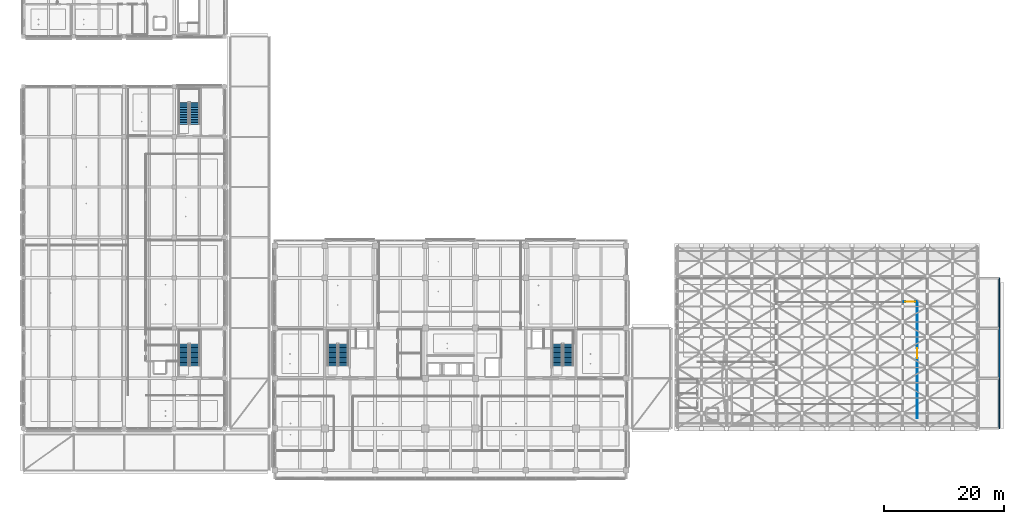
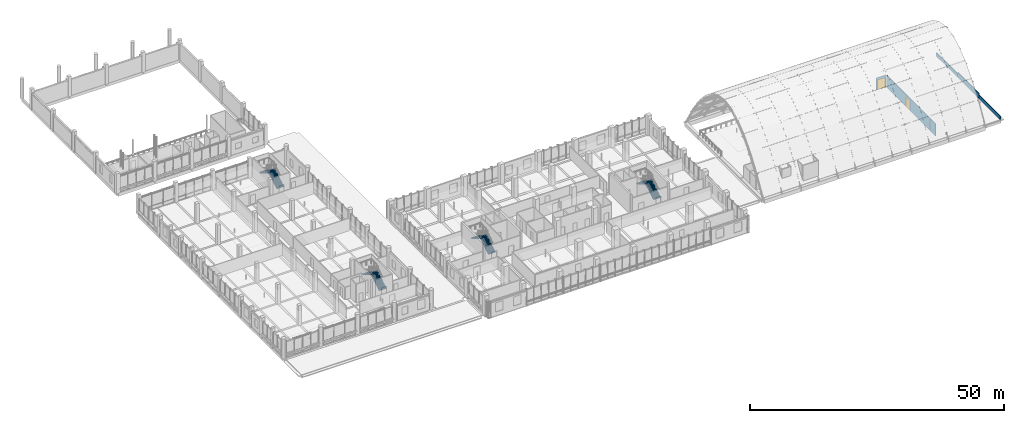
# One storey, part 58 of 128: 8 stair flights, 6 walls, 2 doors, 2 openings, 4 elements without a shape of their own.
"""IFC4 building model written with IfcOpenShell, lengths in metres."""

import ifcopenshell
import ifcopenshell.guid

model = None  # the IFC model being written
_history = None  # IfcOwnerHistory: only IFC2X3 demands one
_inside = {}  # id of a spatial element -> (the spatial element, [elements in it])
_under = {}  # id of a project, library or spatial element -> (it, [spatial elements below it])
_declared = {}  # id of a project -> (the project, [libraries it declares])
_typed = {}  # id of a type object -> (the type object, [elements of that type])
_made_of = {}  # id of a material, layer set ... -> (it, [elements and type objects made of it])


def new_model(schema):
    """Start an empty IFC model of exactly this schema.

    Asked for "IFC4X3", IfcOpenShell would pick the latest addendum, in which some entities
    have other attributes; the version numbers below select the first issue.
    IFC2X3 requires an IfcOwnerHistory on every rooted entity: one is made here for all.
    """
    global model, _history
    if schema == "IFC4X3":
        model = ifcopenshell.file(schema_version=(4, 3, 0, 0))
    else:
        model = ifcopenshell.file(schema=schema)
    _inside.clear()
    _under.clear()
    _declared.clear()
    _typed.clear()
    _made_of.clear()
    _history = None
    if model.schema == "IFC2X3":
        org = make("IfcOrganization", Name="unknown")
        user = make(
            "IfcPersonAndOrganization",
            ThePerson=make("IfcPerson", FamilyName="unknown"),
            TheOrganization=org,
        )
        app = make(
            "IfcApplication",
            ApplicationDeveloper=org,
            Version="unknown",
            ApplicationFullName="unknown",
            ApplicationIdentifier="unknown",
        )
        _history = make(
            "IfcOwnerHistory",
            OwningUser=user,
            OwningApplication=app,
            ChangeAction="ADDED",
            CreationDate=0,
        )
    return model


def make(cls, **values):
    """One entity of the class cls with the attributes given. An attribute that is None is left unset."""
    return model.create_entity(
        cls, **{name: value for name, value in values.items() if value is not None}
    )


def rooted(cls, **values):
    """An entity with a GlobalId (a new one), such as an element, a storey or a relation."""
    return make(cls, GlobalId=ifcopenshell.guid.new(), OwnerHistory=_history, **values)


def si_unit(unit_type, name, prefix=None):
    """IfcSIUnit, for example si_unit("LENGTHUNIT", "METRE", prefix="MILLI")."""
    return make("IfcSIUnit", UnitType=unit_type, Prefix=prefix, Name=name)


def assignment(units):
    """IfcUnitAssignment: the units of a project."""
    return None if units is None else make("IfcUnitAssignment", Units=units)


def point(xyz):
    """IfcCartesianPoint."""
    return None if xyz is None else make("IfcCartesianPoint", Coordinates=xyz)


def direction(xyz):
    """IfcDirection."""
    return None if xyz is None else make("IfcDirection", DirectionRatios=xyz)


def frame(location, z_axis=None, x_axis=None):
    """IfcAxis2Placement3D, a coordinate frame: its origin and axes. An axis left out is left unset."""
    return make(
        "IfcAxis2Placement3D",
        Location=point(location),
        Axis=direction(z_axis),
        RefDirection=direction(x_axis),
    )


def frame_2d(location, x_axis=None):
    """IfcAxis2Placement2D, a coordinate frame in the plane: its origin and x axis."""
    return make(
        "IfcAxis2Placement2D", Location=point(location), RefDirection=direction(x_axis)
    )


def origin():
    """The frame at (0, 0, 0) with its axes left unset."""
    return frame((0.0, 0.0, 0.0))


def place(relative_to, where):
    """IfcLocalPlacement: puts the frame where relative to a parent placement (None: the world)."""
    return make(
        "IfcLocalPlacement", PlacementRelTo=relative_to, RelativePlacement=where
    )


def context(
    kind, dimensions, precision=None, world=None, true_north=None, identifier=None
):
    """IfcGeometricRepresentationContext, for example the 3D "Model" context."""
    return make(
        "IfcGeometricRepresentationContext",
        ContextIdentifier=identifier,
        ContextType=kind,
        CoordinateSpaceDimension=dimensions,
        Precision=precision,
        WorldCoordinateSystem=world,
        TrueNorth=true_north,
    )


def subcontext(parent, identifier, kind, view, scale=None):
    """IfcGeometricRepresentationSubContext, for example "Body" below "Model"."""
    return make(
        "IfcGeometricRepresentationSubContext",
        ContextIdentifier=identifier,
        ContextType=kind,
        ParentContext=parent,
        TargetScale=scale,
        TargetView=view,
    )


def project(units=None, contexts=None):
    """IfcProject with its units and contexts."""
    return rooted(
        "IfcProject",
        Name="project",
        RepresentationContexts=contexts,
        UnitsInContext=assignment(units),
    )


def spatial(cls, under=None, at=None, **own):
    """A site, building, storey or space (cls), placed at a placement, below another one or the project."""
    s = rooted(cls, ObjectPlacement=at, **own)
    if under is not None:
        _under.setdefault(under.id(), (under, []))[1].append(s)
    return s


def polyline(points):
    """IfcPolyline through the points."""
    return make("IfcPolyline", Points=[point(p) for p in points])


def profile(cls, at=None, kind="AREA", **sizes):
    """A parametric profile (cls). Its sizes go by their IFC names, for example OverallWidth=200.0."""
    return make(cls, ProfileType=kind, Position=at, **sizes)


def rectangle(**sizes):
    """IfcRectangleProfileDef."""
    return profile("IfcRectangleProfileDef", **sizes)


def outline(outer, holes=None, kind="AREA"):
    """IfcArbitraryClosedProfileDef: a profile drawn as a closed curve; with holes, ...WithVoids."""
    if holes is None:
        return make("IfcArbitraryClosedProfileDef", ProfileType=kind, OuterCurve=outer)
    return make(
        "IfcArbitraryProfileDefWithVoids",
        ProfileType=kind,
        OuterCurve=outer,
        InnerCurves=holes,
    )


def extrude(swept, where, along, depth):
    """IfcExtrudedAreaSolid: the profile swept, set in the frame where, extruded along a direction by depth."""
    return make(
        "IfcExtrudedAreaSolid",
        SweptArea=swept,
        Position=where,
        ExtrudedDirection=direction(along),
        Depth=depth,
    )


def shape(context_of_items, identifier, shape_type, items):
    """IfcShapeRepresentation: the items that make up one representation, for example the "Body"."""
    return make(
        "IfcShapeRepresentation",
        ContextOfItems=context_of_items,
        RepresentationIdentifier=identifier,
        RepresentationType=shape_type,
        Items=items,
    )


def material(Name=None, Category=None):
    """IfcMaterial."""
    return make("IfcMaterial", Name=Name, Category=Category)


def layer(
    of_material, thickness, ventilated=None, Name=None, Category=None, Priority=None
):
    """IfcMaterialLayer: one layer of a wall or slab, of a material (None: an air gap)."""
    return make(
        "IfcMaterialLayer",
        Material=of_material,
        LayerThickness=thickness,
        IsVentilated=ventilated,
        Name=Name,
        Category=Category,
        Priority=Priority,
    )


def layer_set(layers, Name=None):
    """IfcMaterialLayerSet."""
    return make("IfcMaterialLayerSet", MaterialLayers=layers, LayerSetName=Name)


def made_of(thing, what):
    """Note that an element or type object is made of a material, layer set ...; save() writes the relation."""
    if what is not None:
        _made_of.setdefault(what.id(), (what, []))[1].append(thing)
    return thing


def type_object(cls, material=None, **own):
    """A type object (cls), such as IfcWallType, which elements share."""
    return made_of(rooted(cls, **own), material)


def element(
    cls,
    number,
    at=None,
    inside=None,
    cuts=None,
    type_object=None,
    material=None,
    context=None,
    identifier="Body",
    shape_type=None,
    held_by="IfcProductDefinitionShape",
    body=None,
    shapes=None,
    **own,
):
    """One element of the class cls, such as IfcWall. Its Tag is "e" and its number.

    at: its placement. inside: the storey or other place that contains it. cuts: it is an
    opening in that element (IfcRelVoidsElement). A single representation is given by context,
    identifier, shape_type and body (its items); several are given by shapes. held_by: the class
    of the entity that holds the representations. save() writes the other relations.
    """
    e = rooted(cls, Tag="e%d" % number, ObjectPlacement=at, **own)
    if body is not None:
        shapes = [shape(context, identifier, shape_type, body)]
    if shapes is not None:
        e.Representation = make(held_by, Representations=shapes)
    if inside is not None:
        _inside.setdefault(inside.id(), (inside, []))[1].append(e)
    if cuts is not None:
        rooted(
            "IfcRelVoidsElement", RelatingBuildingElement=cuts, RelatedOpeningElement=e
        )
    if type_object is not None:
        _typed.setdefault(type_object.id(), (type_object, []))[1].append(e)
    return made_of(e, material)


def fill(opening, filler):
    """IfcRelFillsElement: the door or window that sits in an opening."""
    return rooted(
        "IfcRelFillsElement",
        RelatingOpeningElement=opening,
        RelatedBuildingElement=filler,
    )


def aggregate(whole, parts):
    """IfcRelAggregates: a whole, such as a stair, and the parts it consists of."""
    return rooted("IfcRelAggregates", RelatingObject=whole, RelatedObjects=parts)


def save(model, path):
    """Write the relations noted so far, then the file.

    IfcRelAggregates (storeys below a building ...), IfcRelContainedInSpatialStructure (elements
    in a storey), IfcRelDefinesByType, IfcRelAssociatesMaterial and IfcRelDeclares: one each for
    every whole, place, type object, material and project.
    """
    for whole, parts in _under.values():
        aggregate(whole, parts)
    for where, things in _inside.values():
        rooted(
            "IfcRelContainedInSpatialStructure",
            RelatedElements=things,
            RelatingStructure=where,
        )
    for kind, things in _typed.values():
        rooted("IfcRelDefinesByType", RelatedObjects=things, RelatingType=kind)
    for what, things in _made_of.values():
        rooted("IfcRelAssociatesMaterial", RelatedObjects=things, RelatingMaterial=what)
    for by, libraries in _declared.values():
        rooted("IfcRelDeclares", RelatingContext=by, RelatedDefinitions=libraries)
    model.write(path)


model = new_model("IFC4")

# Units and contexts
model_context = context("Model", 3, precision=1e-05, world=origin(), true_north=direction((0.0, 1.0)))
body_context = subcontext(model_context, "Body", "Model", "MODEL_VIEW")
ifc_project = project(units=[si_unit("LENGTHUNIT", "METRE"), si_unit("AREAUNIT", "SQUARE_METRE"), si_unit("VOLUMEUNIT", "CUBIC_METRE"), si_unit("PLANEANGLEUNIT", "RADIAN"), si_unit("MASSUNIT", "GRAM", prefix="KILO")], contexts=[model_context])

# Site, building, storey
site_placement = place(None, origin())
site = spatial("IfcSite", under=ifc_project, at=site_placement, CompositionType="ELEMENT")
building_placement = place(site_placement, origin())
building = spatial("IfcBuilding", under=site, at=building_placement, Name="Telukmera Botanical Conservatory", CompositionType="ELEMENT")
storey_placement = place(building_placement, frame((0.0, 0.0, 5.39990234375)))
storey = spatial("IfcBuildingStorey", under=building, at=storey_placement, Name="L01", CompositionType="ELEMENT", Elevation=5.39990234375)

# Walls
ifc_material_1 = material(Name="Terracotta-faced precast concrete C40/50", Category="masonry")
ifc_layer_1 = layer(ifc_material_1, 0.179931640625)
ifc_layer_set_1 = layer_set([ifc_layer_1], Name="Terracotta-faced precast concrete C40/50")
wall_type_1 = type_object("IfcWallType", Name="Postmodern Polychrome Podium Parapet Wall 180", PredefinedType="PARAPET", material=ifc_layer_set_1)
wall_1_placement = place(storey_placement, frame((171.60009765625, 17.60205078125, 0.210205078125), z_axis=(0.0, 0.0, 1.0), x_axis=(0.0, 1.0, 0.0)))
element("IfcWall", 1, at=wall_1_placement, inside=storey, type_object=wall_type_1, Name="Stepped Roof Parapet PW02 V1:L01:E 1", PredefinedType="PARAPET", context=body_context, shape_type="SweptSolid", body=[
    extrude(rectangle(XDim=8.39599609375, YDim=0.179931640625, at=frame_2d((4.197998046875, 0.0))), origin(), (0.0, 0.0, 1.0), 0.83984375),
])
wall_2_placement = place(storey_placement, frame((171.60009765625, 26.001953125, 0.210205078125), z_axis=(0.0, 0.0, 1.0), x_axis=(0.0, 1.0, 0.0)))
element("IfcWall", 2, at=wall_2_placement, inside=storey, type_object=wall_type_1, Name="Stepped Roof Parapet PW02 V1:L01:E 2", PredefinedType="PARAPET", context=body_context, shape_type="SweptSolid", body=[
    extrude(rectangle(XDim=8.39599609375, YDim=0.179931640625, at=frame_2d((4.197998046875, 0.0))), origin(), (0.0, 0.0, 1.0), 1.18994140625),
])
wall_3_placement = place(storey_placement, frame((171.60009765625, 34.402099609375, 0.210205078125), z_axis=(0.0, 0.0, 1.0), x_axis=(0.0, 1.0, 0.0)))
element("IfcWall", 3, at=wall_3_placement, inside=storey, type_object=wall_type_1, Name="Stepped Roof Parapet PW02 V1:L01:E 3", PredefinedType="PARAPET", context=body_context, shape_type="SweptSolid", body=[
    extrude(rectangle(XDim=8.39599609375, YDim=0.179931640625, at=frame_2d((4.197998046875, 0.0))), origin(), (0.0, 0.0, 1.0), 0.83984375),
])
ifc_material_2 = material(Name="Aluminium framed acoustic glass", Category="aluminium")
ifc_layer_2 = layer(ifc_material_2, 0.1201171875)
ifc_layer_set_2 = layer_set([ifc_layer_2], Name="Aluminium framed acoustic glass")
wall_type_2 = type_object("IfcWallType", Name="WT-GLAZ-120", PredefinedType="PARTITIONING", material=ifc_layer_set_2)
wall_4_placement = place(storey_placement, frame((157.875, 19.35009765625, 0.0), z_axis=(0.0, 0.0, 1.0), x_axis=(0.0, 1.0, 0.0)))
element("IfcWall", 4, at=wall_4_placement, inside=storey, type_object=wall_type_2, Name="L01 Interior Partition 24", PredefinedType="PARTITIONING", context=body_context, shape_type="SweptSolid", body=[
    extrude(rectangle(XDim=2.25, YDim=0.1201171875, at=frame_2d((1.125, 0.0))), origin(), (0.0, 0.0, 1.0), 2.9501953125),
])

# Wall, opening, door
wall_5_placement = place(storey_placement, frame((155.60009765625, 38.824951171875, 0.0), z_axis=(0.0, 0.0, 1.0), x_axis=(1.0, 0.0, 0.0)))
wall_5 = element("IfcWall", 5, at=wall_5_placement, inside=storey, type_object=wall_type_2, Name="L01 Interior Partition 25", PredefinedType="PARTITIONING", context=body_context, shape_type="SweptSolid", body=[
    extrude(rectangle(XDim=2.199951171875, YDim=0.1201171875, at=frame_2d((1.10009765625, 0.0))), origin(), (0.0, 0.0, 1.0), 2.9501953125),
])
opening_1_placement = place(wall_5_placement, frame((0.25, 0.0, 0.0)))
opening_1 = element("IfcOpeningElement", 6, at=opening_1_placement, cuts=wall_5, Name="Opening ID02", PredefinedType="OPENING", context=body_context, shape_type="SweptSolid", body=[
    extrude(rectangle(XDim=1.699951171875, YDim=2.39990234375, at=frame_2d((0.85009765625, 1.199951171875))), frame((0.0, 0.070068359375, 0.0), z_axis=(0.0, -1.0, 0.0), x_axis=(1.0, 0.0, 0.0)), (0.0, 0.0, 1.0), 0.14013671875),
])
ifc_material_3 = material(Name="Thermally broken aluminium glass door", Category="aluminium")
door_type = type_object("IfcDoorType", Name="DT-BIOME-170", OperationType="NOTDEFINED", PredefinedType="DOOR", material=ifc_material_3)
door_1_placement = place(opening_1_placement, origin())
door_1 = element("IfcDoor", 7, at=door_1_placement, inside=storey, type_object=door_type, Name="L01 Conservatory Canopy Viewing Deck Door", OperationType="SINGLE_SWING_RIGHT", OverallHeight=2.39990234375, OverallWidth=1.699951171875, PredefinedType="DOOR", context=body_context, shape_type="SweptSolid", body=[
    extrude(rectangle(XDim=1.699951171875, YDim=2.39990234375, at=frame_2d((0.85009765625, 1.199951171875))), frame((0.0, 0.02490234375, 0.0), z_axis=(0.0, -1.0, 0.0), x_axis=(1.0, 0.0, 0.0)), (0.0, 0.0, 1.0), 0.050048828125),
])
fill(opening_1, door_1)

wall_6_placement = place(storey_placement, frame((157.875, 21.610107421875, 0.0), z_axis=(0.0, 0.0, 1.0), x_axis=(0.0, 1.0, 0.0)))
wall_6 = element("IfcWall", 8, at=wall_6_placement, inside=storey, type_object=wall_type_2, Name="L01 Interior Partition 26", PredefinedType="PARTITIONING", context=body_context, shape_type="SweptSolid", body=[
    extrude(rectangle(XDim=17.139892578125, YDim=0.1201171875, at=frame_2d((8.56982421875, 0.0))), origin(), (0.0, 0.0, 1.0), 2.9501953125),
])
opening_2_placement = place(wall_6_placement, frame((7.719970703125, 0.0, 0.0)))
opening_2 = element("IfcOpeningElement", 9, at=opening_2_placement, cuts=wall_6, Name="Opening ID02", PredefinedType="OPENING", context=body_context, shape_type="SweptSolid", body=[
    extrude(rectangle(XDim=1.699951171875, YDim=2.39990234375, at=frame_2d((0.85009765625, 1.199951171875))), frame((0.0, 0.070068359375, 0.0), z_axis=(0.0, -1.0, 0.0), x_axis=(1.0, 0.0, 0.0)), (0.0, 0.0, 1.0), 0.14013671875),
])
door_2_placement = place(opening_2_placement, frame((1.699951171875, 0.0, 0.0), z_axis=(0.0, 0.0, 1.0), x_axis=(-1.0, 0.0, 0.0)))
door_2 = element("IfcDoor", 10, at=door_2_placement, inside=storey, type_object=door_type, Name="L01 East Epiphyte Observation Bay Door", OperationType="SINGLE_SWING_LEFT", OverallHeight=2.39990234375, OverallWidth=1.699951171875, PredefinedType="DOOR", context=body_context, shape_type="SweptSolid", body=[
    extrude(rectangle(XDim=1.699951171875, YDim=2.39990234375, at=frame_2d((0.85009765625, 1.199951171875))), frame((0.0, 0.02490234375, 0.0), z_axis=(0.0, -1.0, 0.0), x_axis=(1.0, 0.0, 0.0)), (0.0, 0.0, 1.0), 0.050048828125),
])
fill(opening_2, door_2)

# Stair, stair flights
ifc_material_4 = material(Name="Concrete C40/50", Category="concrete")
stair_type = type_object("IfcStairType", Name="ST-ESC-4800", PredefinedType="HALF_TURN_STAIR", material=ifc_material_4)
stair_1_placement = place(storey_placement, origin())
stair_1 = element("IfcStair", 11, at=stair_1_placement, inside=storey, type_object=stair_type, Name="L01 Protected Escape Stair ST1", PredefinedType="HALF_TURN_STAIR")
stair_flight_type = type_object("IfcStairFlightType", Name="SF-ESC-4800", PredefinedType="STRAIGHT", material=ifc_material_4)
stair_flight_1_placement = place(storey_placement, frame((61.89990234375, 28.090087890625, 0.0), z_axis=(0.0, 0.0, 1.0), x_axis=(0.0, 1.0, 0.0)))
stair_flight_1 = element("IfcStairFlight", 12, at=stair_flight_1_placement, type_object=stair_flight_type, Name="ST1 flight 1", NumberOfRisers=14, NumberOfTreads=13, PredefinedType="STRAIGHT", RiserHeight=0.171428571, TreadLength=0.28, context=body_context, shape_type="SweptSolid", body=[
    extrude(outline(polyline([(0.0, 0.0), (0.0, 0.17138671875), (0.280029296875, 0.17138671875), (0.280029296875, 0.3427734375), (0.56005859375, 0.3427734375), (0.56005859375, 0.514404296875), (0.840087890625, 0.514404296875), (0.840087890625, 0.685791015625), (1.1201171875, 0.685791015625), (1.1201171875, 0.857177734375), (1.39990234375, 0.857177734375), (1.39990234375, 1.028564453125), (1.679931640625, 1.028564453125), (1.679931640625, 1.199951171875), (1.9599609375, 1.199951171875), (1.9599609375, 1.371337890625), (2.239990234375, 1.371337890625), (2.239990234375, 1.54296875), (2.52001953125, 1.54296875), (2.52001953125, 1.71435546875), (2.800048828125, 1.71435546875), (2.800048828125, 1.8857421875), (3.080078125, 1.8857421875), (3.080078125, 2.05712890625), (3.360107421875, 2.05712890625), (3.360107421875, 2.228515625), (3.639892578125, 2.228515625), (3.639892578125, 2.39990234375), (3.639892578125, 2.041015625), (0.30615234375, 0.0), (0.0, 0.0)])), frame((0.0, 0.830078125, 0.0), z_axis=(0.0, -1.0, 0.0), x_axis=(1.0, 0.0, 0.0)), (0.0, 0.0, 1.0), 1.659912109375),
])
stair_flight_2_placement = place(storey_placement, frame((60.080078125, 31.72998046875, 2.400146484375), z_axis=(0.0, 0.0, 1.0), x_axis=(0.0, -1.0, 0.0)))
stair_flight_2 = element("IfcStairFlight", 13, at=stair_flight_2_placement, type_object=stair_flight_type, Name="ST1 flight 2", NumberOfRisers=14, NumberOfTreads=13, PredefinedType="STRAIGHT", RiserHeight=0.171428571, TreadLength=0.28, context=body_context, shape_type="SweptSolid", body=[
    extrude(outline(polyline([(0.0, 0.0), (0.0, 0.17138671875), (0.280029296875, 0.17138671875), (0.280029296875, 0.3427734375), (0.56005859375, 0.3427734375), (0.56005859375, 0.514404296875), (0.840087890625, 0.514404296875), (0.840087890625, 0.685791015625), (1.1201171875, 0.685791015625), (1.1201171875, 0.857177734375), (1.39990234375, 0.857177734375), (1.39990234375, 1.028564453125), (1.679931640625, 1.028564453125), (1.679931640625, 1.199951171875), (1.9599609375, 1.199951171875), (1.9599609375, 1.371337890625), (2.239990234375, 1.371337890625), (2.239990234375, 1.54296875), (2.52001953125, 1.54296875), (2.52001953125, 1.71435546875), (2.800048828125, 1.71435546875), (2.800048828125, 1.8857421875), (3.080078125, 1.8857421875), (3.080078125, 2.05712890625), (3.360107421875, 2.05712890625), (3.360107421875, 2.228515625), (3.639892578125, 2.228515625), (3.639892578125, 2.39990234375), (3.639892578125, 2.041015625), (0.30615234375, 0.0), (0.0, 0.0)])), frame((0.0, 0.830078125, 0.0), z_axis=(0.0, -1.0, 0.0), x_axis=(1.0, 0.0, 0.0)), (0.0, 0.0, 1.0), 1.659912109375),
])
aggregate(stair_1, [stair_flight_1, stair_flight_2])

stair_2_placement = place(storey_placement, origin())
stair_2 = element("IfcStair", 14, at=stair_2_placement, inside=storey, type_object=stair_type, Name="L01 Protected Escape Stair ST2", PredefinedType="HALF_TURN_STAIR")
stair_flight_3_placement = place(storey_placement, frame((99.52001953125, 28.090087890625, 0.0), z_axis=(0.0, 0.0, 1.0), x_axis=(0.0, 1.0, 0.0)))
stair_flight_3 = element("IfcStairFlight", 15, at=stair_flight_3_placement, type_object=stair_flight_type, Name="ST2 flight 1", NumberOfRisers=14, NumberOfTreads=13, PredefinedType="STRAIGHT", RiserHeight=0.171428571, TreadLength=0.28, context=body_context, shape_type="SweptSolid", body=[
    extrude(outline(polyline([(0.0, 0.0), (0.0, 0.17138671875), (0.280029296875, 0.17138671875), (0.280029296875, 0.3427734375), (0.56005859375, 0.3427734375), (0.56005859375, 0.514404296875), (0.840087890625, 0.514404296875), (0.840087890625, 0.685791015625), (1.1201171875, 0.685791015625), (1.1201171875, 0.857177734375), (1.39990234375, 0.857177734375), (1.39990234375, 1.028564453125), (1.679931640625, 1.028564453125), (1.679931640625, 1.199951171875), (1.9599609375, 1.199951171875), (1.9599609375, 1.371337890625), (2.239990234375, 1.371337890625), (2.239990234375, 1.54296875), (2.52001953125, 1.54296875), (2.52001953125, 1.71435546875), (2.800048828125, 1.71435546875), (2.800048828125, 1.8857421875), (3.080078125, 1.8857421875), (3.080078125, 2.05712890625), (3.360107421875, 2.05712890625), (3.360107421875, 2.228515625), (3.639892578125, 2.228515625), (3.639892578125, 2.39990234375), (3.639892578125, 2.041015625), (0.30615234375, 0.0), (0.0, 0.0)])), frame((0.0, 0.830078125, 0.0), z_axis=(0.0, -1.0, 0.0), x_axis=(1.0, 0.0, 0.0)), (0.0, 0.0, 1.0), 1.659912109375),
])
stair_flight_4_placement = place(storey_placement, frame((97.699951171875, 31.72998046875, 2.400146484375), z_axis=(0.0, 0.0, 1.0), x_axis=(0.0, -1.0, 0.0)))
stair_flight_4 = element("IfcStairFlight", 16, at=stair_flight_4_placement, type_object=stair_flight_type, Name="ST2 flight 2", NumberOfRisers=14, NumberOfTreads=13, PredefinedType="STRAIGHT", RiserHeight=0.171428571, TreadLength=0.28, context=body_context, shape_type="SweptSolid", body=[
    extrude(outline(polyline([(0.0, 0.0), (0.0, 0.17138671875), (0.280029296875, 0.17138671875), (0.280029296875, 0.3427734375), (0.56005859375, 0.3427734375), (0.56005859375, 0.514404296875), (0.840087890625, 0.514404296875), (0.840087890625, 0.685791015625), (1.1201171875, 0.685791015625), (1.1201171875, 0.857177734375), (1.39990234375, 0.857177734375), (1.39990234375, 1.028564453125), (1.679931640625, 1.028564453125), (1.679931640625, 1.199951171875), (1.9599609375, 1.199951171875), (1.9599609375, 1.371337890625), (2.239990234375, 1.371337890625), (2.239990234375, 1.54296875), (2.52001953125, 1.54296875), (2.52001953125, 1.71435546875), (2.800048828125, 1.71435546875), (2.800048828125, 1.8857421875), (3.080078125, 1.8857421875), (3.080078125, 2.05712890625), (3.360107421875, 2.05712890625), (3.360107421875, 2.228515625), (3.639892578125, 2.228515625), (3.639892578125, 2.39990234375), (3.639892578125, 2.041015625), (0.30615234375, 0.0), (0.0, 0.0)])), frame((0.0, 0.830078125, 0.0), z_axis=(0.0, -1.0, 0.0), x_axis=(1.0, 0.0, 0.0)), (0.0, 0.0, 1.0), 1.659912109375),
])
aggregate(stair_2, [stair_flight_3, stair_flight_4])

stair_3_placement = place(storey_placement, origin())
stair_3 = element("IfcStair", 17, at=stair_3_placement, inside=storey, type_object=stair_type, Name="L01 Protected Escape Stair ST3", PredefinedType="HALF_TURN_STAIR")
stair_flight_5_placement = place(storey_placement, frame((37.050048828125, 28.090087890625, 0.0), z_axis=(0.0, 0.0, 1.0), x_axis=(0.0, 1.0, 0.0)))
stair_flight_5 = element("IfcStairFlight", 18, at=stair_flight_5_placement, type_object=stair_flight_type, Name="ST3 flight 1", NumberOfRisers=14, NumberOfTreads=13, PredefinedType="STRAIGHT", RiserHeight=0.171428571, TreadLength=0.28, context=body_context, shape_type="SweptSolid", body=[
    extrude(outline(polyline([(0.0, 0.0), (0.0, 0.17138671875), (0.280029296875, 0.17138671875), (0.280029296875, 0.3427734375), (0.56005859375, 0.3427734375), (0.56005859375, 0.514404296875), (0.840087890625, 0.514404296875), (0.840087890625, 0.685791015625), (1.1201171875, 0.685791015625), (1.1201171875, 0.857177734375), (1.39990234375, 0.857177734375), (1.39990234375, 1.028564453125), (1.679931640625, 1.028564453125), (1.679931640625, 1.199951171875), (1.9599609375, 1.199951171875), (1.9599609375, 1.371337890625), (2.239990234375, 1.371337890625), (2.239990234375, 1.54296875), (2.52001953125, 1.54296875), (2.52001953125, 1.71435546875), (2.800048828125, 1.71435546875), (2.800048828125, 1.8857421875), (3.080078125, 1.8857421875), (3.080078125, 2.05712890625), (3.360107421875, 2.05712890625), (3.360107421875, 2.228515625), (3.639892578125, 2.228515625), (3.639892578125, 2.39990234375), (3.639892578125, 2.041015625), (0.30615234375, 0.0), (0.0, 0.0)])), frame((0.0, 0.830078125, 0.0), z_axis=(0.0, -1.0, 0.0), x_axis=(1.0, 0.0, 0.0)), (0.0, 0.0, 1.0), 1.659912109375),
])
stair_flight_6_placement = place(storey_placement, frame((35.22998046875, 31.72998046875, 2.400146484375), z_axis=(0.0, 0.0, 1.0), x_axis=(0.0, -1.0, 0.0)))
stair_flight_6 = element("IfcStairFlight", 19, at=stair_flight_6_placement, type_object=stair_flight_type, Name="ST3 flight 2", NumberOfRisers=14, NumberOfTreads=13, PredefinedType="STRAIGHT", RiserHeight=0.171428571, TreadLength=0.28, context=body_context, shape_type="SweptSolid", body=[
    extrude(outline(polyline([(0.0, 0.0), (0.0, 0.17138671875), (0.280029296875, 0.17138671875), (0.280029296875, 0.3427734375), (0.56005859375, 0.3427734375), (0.56005859375, 0.514404296875), (0.840087890625, 0.514404296875), (0.840087890625, 0.685791015625), (1.1201171875, 0.685791015625), (1.1201171875, 0.857177734375), (1.39990234375, 0.857177734375), (1.39990234375, 1.028564453125), (1.679931640625, 1.028564453125), (1.679931640625, 1.199951171875), (1.9599609375, 1.199951171875), (1.9599609375, 1.371337890625), (2.239990234375, 1.371337890625), (2.239990234375, 1.54296875), (2.52001953125, 1.54296875), (2.52001953125, 1.71435546875), (2.800048828125, 1.71435546875), (2.800048828125, 1.8857421875), (3.080078125, 1.8857421875), (3.080078125, 2.05712890625), (3.360107421875, 2.05712890625), (3.360107421875, 2.228515625), (3.639892578125, 2.228515625), (3.639892578125, 2.39990234375), (3.639892578125, 2.041015625), (0.30615234375, 0.0), (0.0, 0.0)])), frame((0.0, 0.830078125, 0.0), z_axis=(0.0, -1.0, 0.0), x_axis=(1.0, 0.0, 0.0)), (0.0, 0.0, 1.0), 1.659912109375),
])
aggregate(stair_3, [stair_flight_5, stair_flight_6])

stair_4_placement = place(storey_placement, origin())
stair_4 = element("IfcStair", 20, at=stair_4_placement, inside=storey, type_object=stair_type, Name="L01 Protected Escape Stair ST4", PredefinedType="HALF_TURN_STAIR")
stair_flight_7_placement = place(storey_placement, frame((37.050048828125, 68.489990234375, 0.0), z_axis=(0.0, 0.0, 1.0), x_axis=(0.0, 1.0, 0.0)))
stair_flight_7 = element("IfcStairFlight", 21, at=stair_flight_7_placement, type_object=stair_flight_type, Name="ST4 flight 1", NumberOfRisers=14, NumberOfTreads=13, PredefinedType="STRAIGHT", RiserHeight=0.171428571, TreadLength=0.28, context=body_context, shape_type="SweptSolid", body=[
    extrude(outline(polyline([(0.0, 0.0), (0.0, 0.17138671875), (0.280029296875, 0.17138671875), (0.280029296875, 0.3427734375), (0.56005859375, 0.3427734375), (0.56005859375, 0.514404296875), (0.840087890625, 0.514404296875), (0.840087890625, 0.685791015625), (1.1201171875, 0.685791015625), (1.1201171875, 0.857177734375), (1.39990234375, 0.857177734375), (1.39990234375, 1.028564453125), (1.679931640625, 1.028564453125), (1.679931640625, 1.199951171875), (1.9599609375, 1.199951171875), (1.9599609375, 1.371337890625), (2.239990234375, 1.371337890625), (2.239990234375, 1.54296875), (2.52001953125, 1.54296875), (2.52001953125, 1.71435546875), (2.800048828125, 1.71435546875), (2.800048828125, 1.8857421875), (3.080078125, 1.8857421875), (3.080078125, 2.05712890625), (3.360107421875, 2.05712890625), (3.360107421875, 2.228515625), (3.639892578125, 2.228515625), (3.639892578125, 2.39990234375), (3.639892578125, 2.041015625), (0.30615234375, 0.0), (0.0, 0.0)])), frame((0.0, 0.830078125, 0.0), z_axis=(0.0, -1.0, 0.0), x_axis=(1.0, 0.0, 0.0)), (0.0, 0.0, 1.0), 1.659912109375),
])
stair_flight_8_placement = place(storey_placement, frame((35.22998046875, 72.1298828125, 2.400146484375), z_axis=(0.0, 0.0, 1.0), x_axis=(0.0, -1.0, 0.0)))
stair_flight_8 = element("IfcStairFlight", 22, at=stair_flight_8_placement, type_object=stair_flight_type, Name="ST4 flight 2", NumberOfRisers=14, NumberOfTreads=13, PredefinedType="STRAIGHT", RiserHeight=0.171428571, TreadLength=0.28, context=body_context, shape_type="SweptSolid", body=[
    extrude(outline(polyline([(0.0, 0.0), (0.0, 0.17138671875), (0.280029296875, 0.17138671875), (0.280029296875, 0.3427734375), (0.56005859375, 0.3427734375), (0.56005859375, 0.514404296875), (0.840087890625, 0.514404296875), (0.840087890625, 0.685791015625), (1.1201171875, 0.685791015625), (1.1201171875, 0.857177734375), (1.39990234375, 0.857177734375), (1.39990234375, 1.028564453125), (1.679931640625, 1.028564453125), (1.679931640625, 1.199951171875), (1.9599609375, 1.199951171875), (1.9599609375, 1.371337890625), (2.239990234375, 1.371337890625), (2.239990234375, 1.54296875), (2.52001953125, 1.54296875), (2.52001953125, 1.71435546875), (2.800048828125, 1.71435546875), (2.800048828125, 1.8857421875), (3.080078125, 1.8857421875), (3.080078125, 2.05712890625), (3.360107421875, 2.05712890625), (3.360107421875, 2.228515625), (3.639892578125, 2.228515625), (3.639892578125, 2.39990234375), (3.639892578125, 2.041015625), (0.30615234375, 0.0), (0.0, 0.0)])), frame((0.0, 0.830078125, 0.0), z_axis=(0.0, -1.0, 0.0), x_axis=(1.0, 0.0, 0.0)), (0.0, 0.0, 1.0), 1.659912109375),
])
aggregate(stair_4, [stair_flight_7, stair_flight_8])

save(model, "model.ifc")
